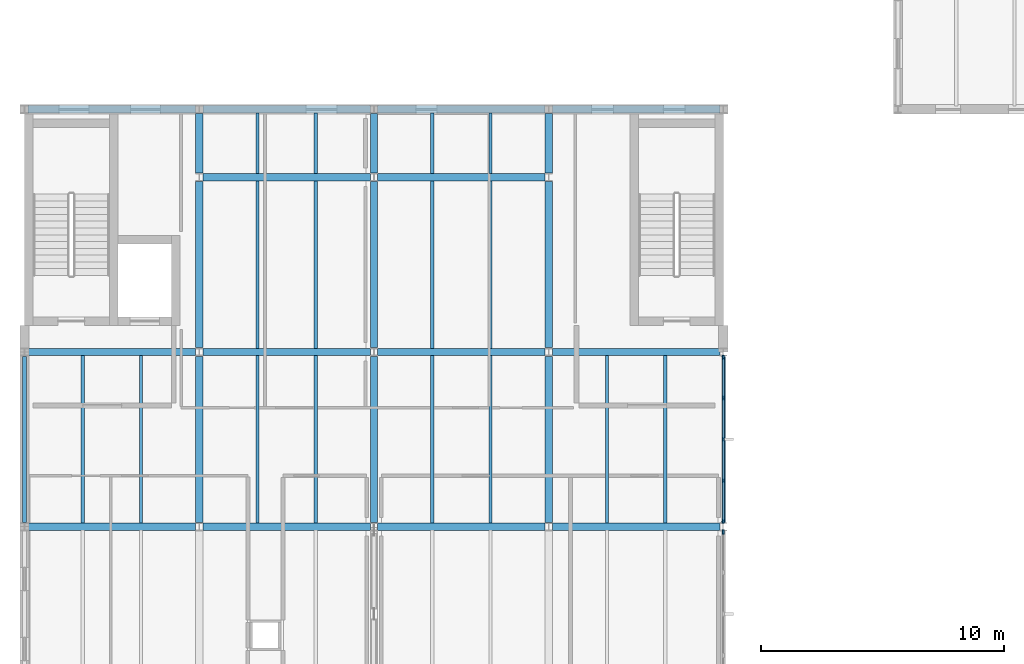
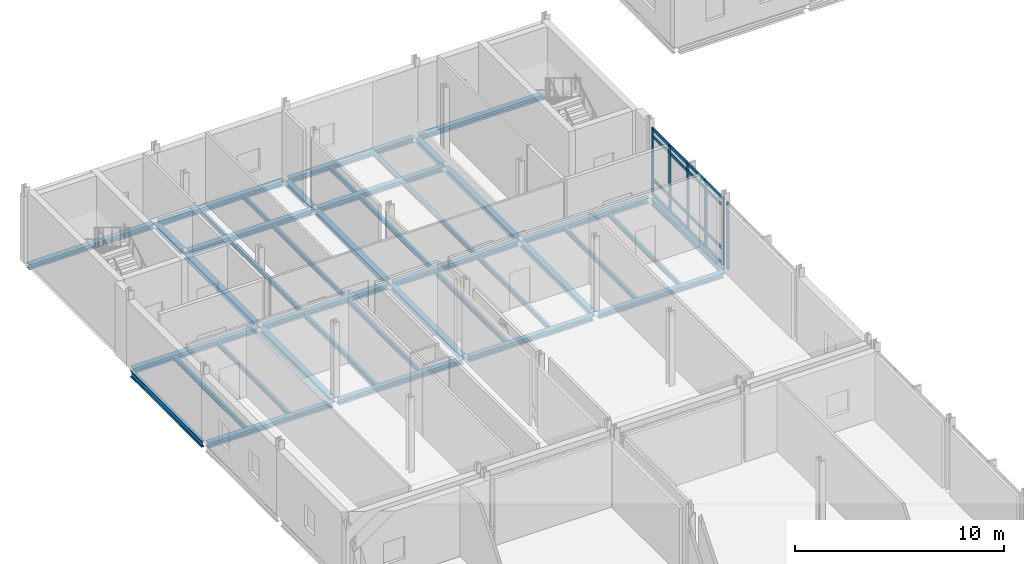
# One storey, part 27 of 72: 41 beams, 22 members, 2 elements without a shape of their own.
"""IFC4 building model written with IfcOpenShell, lengths in metres."""

from ifc_helpers import new_model, si_unit, direction, frame, origin, origin_2d, place, context, subcontext, project, spatial, rectangle, i_section, extrude, material, layer, layer_set, material_profile, profile_set, type_object, element, aggregate, save


model = new_model("IFC4")

# Units and contexts
model_context = context("Model", 3, precision=1e-05, world=origin(), true_north=direction((0.0, 1.0)))
body_context = subcontext(model_context, "Body", "Model", "MODEL_VIEW")
ifc_project = project(units=[si_unit("LENGTHUNIT", "METRE"), si_unit("AREAUNIT", "SQUARE_METRE"), si_unit("VOLUMEUNIT", "CUBIC_METRE"), si_unit("PLANEANGLEUNIT", "RADIAN"), si_unit("MASSUNIT", "GRAM", prefix="KILO")], contexts=[model_context])

# Site, building, storey
site_placement = place(None, origin())
site = spatial("IfcSite", under=ifc_project, at=site_placement, CompositionType="ELEMENT")
building_placement = place(site_placement, origin())
building = spatial("IfcBuilding", under=site, at=building_placement, Name="Zarrinpeak Specialist Clinic", CompositionType="ELEMENT")
storey_placement = place(building_placement, frame((0.0, 0.0, 9.60009765625)))
storey = spatial("IfcBuildingStorey", under=building, at=storey_placement, Name="L02", CompositionType="ELEMENT", Elevation=9.60009765625)

# Beams
ifc_material_1 = material(Name="Steel S355", Category="steel")
ifc_material_profile_1 = material_profile(ifc_material_1, i_section(OverallWidth=0.300048828125, OverallDepth=0.2900390625, WebThickness=0.008544921875, FlangeThickness=0.013916015625, FilletRadius=0.027099609375, at=origin_2d()), Name="HEA 300")
ifc_profile_set_1 = profile_set([ifc_material_profile_1], Name="Steel S355")
beam_type_1 = type_object("IfcBeamType", Name="BM-HEA300", PredefinedType="BEAM", material=ifc_profile_set_1)
for number, where, z_axis, x_axis, name in (
    (1, (0.14794921875, 64.800048828125, -0.360107421875), (1.0, 0.0, 0.0), (0.0, 1.0, 0.0), "L02 Primary Floor Girder BM-L02-X1187"),
    (2, (7.347900390625, 64.800048828125, -0.360107421875), (1.0, 0.0, 0.0), (0.0, 1.0, 0.0), "L02 Primary Floor Girder BM-L02-X1188"),
):
    element("IfcBeam", number, at=place(storey_placement, frame(where, z_axis=z_axis, x_axis=x_axis)), inside=storey, type_object=beam_type_1, Name=name, PredefinedType="BEAM", context=body_context, shape_type="SweptSolid", body=[
        extrude(i_section(OverallWidth=0.300048828125, OverallDepth=0.2900390625, WebThickness=0.008544921875, FlangeThickness=0.013916015625, FilletRadius=0.027099609375, at=origin_2d()), origin(), (0.0, 0.0, 1.0), 6.904052734375),
    ])
beam_1_placement = place(storey_placement, frame((14.548095703125, 64.800048828125, -0.360107421875), z_axis=(1.0, 0.0, 0.0), x_axis=(0.0, 1.0, 0.0)))
element("IfcBeam", 3, at=beam_1_placement, inside=storey, type_object=beam_type_1, Name="L02 Primary Floor Girder BM-L02-X1189", PredefinedType="BEAM", context=body_context, shape_type="SweptSolid", body=[
    extrude(i_section(OverallWidth=0.300048828125, OverallDepth=0.2900390625, WebThickness=0.008544921875, FlangeThickness=0.013916015625, FilletRadius=0.027099609375, at=origin_2d()), origin(), (0.0, 0.0, 1.0), 6.90380859375),
])
for number, where, z_axis, x_axis, name in (
    (4, (21.748046875, 64.800048828125, -0.360107421875), (1.0, 0.0, 0.0), (0.0, 1.0, 0.0), "L02 Primary Floor Girder BM-L02-X1190"),
    (5, (0.14794921875, 72.0, -0.360107421875), (1.0, 0.0, 0.0), (0.0, 1.0, 0.0), "L02 Primary Floor Girder BM-L02-X1191"),
    (6, (7.347900390625, 72.0, -0.360107421875), (1.0, 0.0, 0.0), (0.0, 1.0, 0.0), "L02 Primary Floor Girder BM-L02-X1192"),
):
    element("IfcBeam", number, at=place(storey_placement, frame(where, z_axis=z_axis, x_axis=x_axis)), inside=storey, type_object=beam_type_1, Name=name, PredefinedType="BEAM", context=body_context, shape_type="SweptSolid", body=[
        extrude(i_section(OverallWidth=0.300048828125, OverallDepth=0.2900390625, WebThickness=0.008544921875, FlangeThickness=0.013916015625, FilletRadius=0.027099609375, at=origin_2d()), origin(), (0.0, 0.0, 1.0), 6.904052734375),
    ])
beam_2_placement = place(storey_placement, frame((14.548095703125, 72.0, -0.360107421875), z_axis=(1.0, 0.0, 0.0), x_axis=(0.0, 1.0, 0.0)))
element("IfcBeam", 7, at=beam_2_placement, inside=storey, type_object=beam_type_1, Name="L02 Primary Floor Girder BM-L02-X1193", PredefinedType="BEAM", context=body_context, shape_type="SweptSolid", body=[
    extrude(i_section(OverallWidth=0.300048828125, OverallDepth=0.2900390625, WebThickness=0.008544921875, FlangeThickness=0.013916015625, FilletRadius=0.027099609375, at=origin_2d()), origin(), (0.0, 0.0, 1.0), 6.90380859375),
])
for number, where, z_axis, x_axis, name in (
    (8, (21.748046875, 72.0, -0.360107421875), (1.0, 0.0, 0.0), (0.0, 1.0, 0.0), "L02 Primary Floor Girder BM-L02-X1194"),
    (9, (7.347900390625, 79.199951171875, -0.360107421875), (1.0, 0.0, 0.0), (0.0, 1.0, 0.0), "L02 Primary Floor Girder BM-L02-X1195"),
):
    element("IfcBeam", number, at=place(storey_placement, frame(where, z_axis=z_axis, x_axis=x_axis)), inside=storey, type_object=beam_type_1, Name=name, PredefinedType="BEAM", context=body_context, shape_type="SweptSolid", body=[
        extrude(i_section(OverallWidth=0.300048828125, OverallDepth=0.2900390625, WebThickness=0.008544921875, FlangeThickness=0.013916015625, FilletRadius=0.027099609375, at=origin_2d()), origin(), (0.0, 0.0, 1.0), 6.904052734375),
    ])
beam_3_placement = place(storey_placement, frame((14.548095703125, 79.199951171875, -0.360107421875), z_axis=(1.0, 0.0, 0.0), x_axis=(0.0, 1.0, 0.0)))
element("IfcBeam", 10, at=beam_3_placement, inside=storey, type_object=beam_type_1, Name="L02 Primary Floor Girder BM-L02-X1196", PredefinedType="BEAM", context=body_context, shape_type="SweptSolid", body=[
    extrude(i_section(OverallWidth=0.300048828125, OverallDepth=0.2900390625, WebThickness=0.008544921875, FlangeThickness=0.013916015625, FilletRadius=0.027099609375, at=origin_2d()), origin(), (0.0, 0.0, 1.0), 6.90380859375),
])
for number, where, z_axis, x_axis, name in (
    (11, (0.14794921875, 82.0, -0.360107421875), (1.0, 0.0, 0.0), (0.0, 1.0, 0.0), "L02 Primary Floor Girder BM-L02-X1197"),
    (12, (7.347900390625, 82.0, -0.360107421875), (1.0, 0.0, 0.0), (0.0, 1.0, 0.0), "L02 Primary Floor Girder BM-L02-X1198"),
):
    element("IfcBeam", number, at=place(storey_placement, frame(where, z_axis=z_axis, x_axis=x_axis)), inside=storey, type_object=beam_type_1, Name=name, PredefinedType="BEAM", context=body_context, shape_type="SweptSolid", body=[
        extrude(i_section(OverallWidth=0.300048828125, OverallDepth=0.2900390625, WebThickness=0.008544921875, FlangeThickness=0.013916015625, FilletRadius=0.027099609375, at=origin_2d()), origin(), (0.0, 0.0, 1.0), 6.904052734375),
    ])
beam_4_placement = place(storey_placement, frame((14.548095703125, 82.0, -0.360107421875), z_axis=(1.0, 0.0, 0.0), x_axis=(0.0, 1.0, 0.0)))
element("IfcBeam", 13, at=beam_4_placement, inside=storey, type_object=beam_type_1, Name="L02 Primary Floor Girder BM-L02-X1199", PredefinedType="BEAM", context=body_context, shape_type="SweptSolid", body=[
    extrude(i_section(OverallWidth=0.300048828125, OverallDepth=0.2900390625, WebThickness=0.008544921875, FlangeThickness=0.013916015625, FilletRadius=0.027099609375, at=origin_2d()), origin(), (0.0, 0.0, 1.0), 6.90380859375),
])
beam_5_placement = place(storey_placement, frame((21.748046875, 82.0, -0.360107421875), z_axis=(1.0, 0.0, 0.0), x_axis=(0.0, 1.0, 0.0)))
element("IfcBeam", 14, at=beam_5_placement, inside=storey, type_object=beam_type_1, Name="L02 Primary Floor Girder BM-L02-X1200", PredefinedType="BEAM", context=body_context, shape_type="SweptSolid", body=[
    extrude(i_section(OverallWidth=0.300048828125, OverallDepth=0.2900390625, WebThickness=0.008544921875, FlangeThickness=0.013916015625, FilletRadius=0.027099609375, at=origin_2d()), origin(), (0.0, 0.0, 1.0), 6.904052734375),
])
for number, where, z_axis, x_axis, name in (
    (15, (7.199951171875, 64.97802734375, -0.360107421875), (0.0, 1.0, 0.0), (-1.0, 0.0, 0.0), "L02 Primary Beam BM-L02-Y1239"),
    (16, (7.199951171875, 72.177978515625, -0.360107421875), (0.0, 1.0, 0.0), (-1.0, 0.0, 0.0), "L02 Primary Beam BM-L02-Y1240"),
):
    element("IfcBeam", number, at=place(storey_placement, frame(where, z_axis=z_axis, x_axis=x_axis)), inside=storey, type_object=beam_type_1, Name=name, PredefinedType="BEAM", context=body_context, shape_type="SweptSolid", body=[
        extrude(i_section(OverallWidth=0.300048828125, OverallDepth=0.2900390625, WebThickness=0.008544921875, FlangeThickness=0.013916015625, FilletRadius=0.027099609375, at=origin_2d()), origin(), (0.0, 0.0, 1.0), 6.843994140625),
    ])
beam_6_placement = place(storey_placement, frame((7.199951171875, 79.3779296875, -0.360107421875), z_axis=(0.0, 1.0, 0.0), x_axis=(-1.0, 0.0, 0.0)))
element("IfcBeam", 17, at=beam_6_placement, inside=storey, type_object=beam_type_1, Name="L02 Primary Beam BM-L02-Y1241", PredefinedType="BEAM", context=body_context, shape_type="SweptSolid", body=[
    extrude(i_section(OverallWidth=0.300048828125, OverallDepth=0.2900390625, WebThickness=0.008544921875, FlangeThickness=0.013916015625, FilletRadius=0.027099609375, at=origin_2d()), origin(), (0.0, 0.0, 1.0), 2.444091796875),
])
for number, where, z_axis, x_axis, name in (
    (18, (14.39990234375, 64.97802734375, -0.360107421875), (0.0, 1.0, 0.0), (-1.0, 0.0, 0.0), "L02 Primary Beam BM-L02-Y1251"),
    (19, (14.39990234375, 72.177978515625, -0.360107421875), (0.0, 1.0, 0.0), (-1.0, 0.0, 0.0), "L02 Primary Beam BM-L02-Y1252"),
):
    element("IfcBeam", number, at=place(storey_placement, frame(where, z_axis=z_axis, x_axis=x_axis)), inside=storey, type_object=beam_type_1, Name=name, PredefinedType="BEAM", context=body_context, shape_type="SweptSolid", body=[
        extrude(i_section(OverallWidth=0.300048828125, OverallDepth=0.2900390625, WebThickness=0.008544921875, FlangeThickness=0.013916015625, FilletRadius=0.027099609375, at=origin_2d()), origin(), (0.0, 0.0, 1.0), 6.843994140625),
    ])
beam_7_placement = place(storey_placement, frame((14.39990234375, 79.3779296875, -0.360107421875), z_axis=(0.0, 1.0, 0.0), x_axis=(-1.0, 0.0, 0.0)))
element("IfcBeam", 20, at=beam_7_placement, inside=storey, type_object=beam_type_1, Name="L02 Primary Beam BM-L02-Y1253", PredefinedType="BEAM", context=body_context, shape_type="SweptSolid", body=[
    extrude(i_section(OverallWidth=0.300048828125, OverallDepth=0.2900390625, WebThickness=0.008544921875, FlangeThickness=0.013916015625, FilletRadius=0.027099609375, at=origin_2d()), origin(), (0.0, 0.0, 1.0), 2.444091796875),
])
for number, where, z_axis, x_axis, name in (
    (21, (21.60009765625, 64.97802734375, -0.360107421875), (0.0, 1.0, 0.0), (-1.0, 0.0, 0.0), "L02 Primary Beam BM-L02-Y1263"),
    (22, (21.60009765625, 72.177978515625, -0.360107421875), (0.0, 1.0, 0.0), (-1.0, 0.0, 0.0), "L02 Primary Beam BM-L02-Y1264"),
):
    element("IfcBeam", number, at=place(storey_placement, frame(where, z_axis=z_axis, x_axis=x_axis)), inside=storey, type_object=beam_type_1, Name=name, PredefinedType="BEAM", context=body_context, shape_type="SweptSolid", body=[
        extrude(i_section(OverallWidth=0.300048828125, OverallDepth=0.2900390625, WebThickness=0.008544921875, FlangeThickness=0.013916015625, FilletRadius=0.027099609375, at=origin_2d()), origin(), (0.0, 0.0, 1.0), 6.843994140625),
    ])
beam_8_placement = place(storey_placement, frame((21.60009765625, 79.3779296875, -0.360107421875), z_axis=(0.0, 1.0, 0.0), x_axis=(-1.0, 0.0, 0.0)))
element("IfcBeam", 23, at=beam_8_placement, inside=storey, type_object=beam_type_1, Name="L02 Primary Beam BM-L02-Y1265", PredefinedType="BEAM", context=body_context, shape_type="SweptSolid", body=[
    extrude(i_section(OverallWidth=0.300048828125, OverallDepth=0.2900390625, WebThickness=0.008544921875, FlangeThickness=0.013916015625, FilletRadius=0.027099609375, at=origin_2d()), origin(), (0.0, 0.0, 1.0), 2.444091796875),
])
ifc_material_profile_2 = material_profile(ifc_material_1, i_section(OverallWidth=0.135009765625, OverallDepth=0.27001953125, WebThickness=0.006591796875, FlangeThickness=0.01025390625, FilletRadius=0.014892578125, at=origin_2d()), Name="IPE 270")
ifc_profile_set_2 = profile_set([ifc_material_profile_2], Name="Steel S355")
beam_type_2 = type_object("IfcBeamType", Name="BM-JST270", PredefinedType="JOIST", material=ifc_profile_set_2)
for number, where, z_axis, x_axis, name in (
    (24, (2.39990234375, 64.947998046875, -0.35009765625), (0.0, 1.0, 0.0), (-1.0, 0.0, 0.0), "L02 Composite Floor Joist JST-L02-1427"),
    (25, (4.800048828125, 64.947998046875, -0.35009765625), (0.0, 1.0, 0.0), (-1.0, 0.0, 0.0), "L02 Composite Floor Joist JST-L02-1428"),
    (26, (9.60009765625, 64.947998046875, -0.35009765625), (0.0, 1.0, 0.0), (-1.0, 0.0, 0.0), "L02 Composite Floor Joist JST-L02-1432"),
    (27, (12.0, 64.947998046875, -0.35009765625), (0.0, 1.0, 0.0), (-1.0, 0.0, 0.0), "L02 Composite Floor Joist JST-L02-1433"),
    (28, (9.60009765625, 72.14794921875, -0.35009765625), (0.0, 1.0, 0.0), (-1.0, 0.0, 0.0), "L02 Composite Floor Joist JST-L02-1434"),
    (29, (12.0, 72.14794921875, -0.35009765625), (0.0, 1.0, 0.0), (-1.0, 0.0, 0.0), "L02 Composite Floor Joist JST-L02-1435"),
):
    element("IfcBeam", number, at=place(storey_placement, frame(where, z_axis=z_axis, x_axis=x_axis)), inside=storey, type_object=beam_type_2, Name=name, PredefinedType="JOIST", context=body_context, shape_type="SweptSolid", body=[
        extrude(i_section(OverallWidth=0.135009765625, OverallDepth=0.27001953125, WebThickness=0.006591796875, FlangeThickness=0.01025390625, FilletRadius=0.014892578125, at=origin_2d()), origin(), (0.0, 0.0, 1.0), 6.904052734375),
    ])
for number, where, z_axis, x_axis, name in (
    (30, (9.60009765625, 79.347900390625, -0.35009765625), (0.0, 1.0, 0.0), (-1.0, 0.0, 0.0), "L02 Composite Floor Joist JST-L02-1436"),
    (31, (12.0, 79.347900390625, -0.35009765625), (0.0, 1.0, 0.0), (-1.0, 0.0, 0.0), "L02 Composite Floor Joist JST-L02-1437"),
):
    element("IfcBeam", number, at=place(storey_placement, frame(where, z_axis=z_axis, x_axis=x_axis)), inside=storey, type_object=beam_type_2, Name=name, PredefinedType="JOIST", context=body_context, shape_type="SweptSolid", body=[
        extrude(i_section(OverallWidth=0.135009765625, OverallDepth=0.27001953125, WebThickness=0.006591796875, FlangeThickness=0.01025390625, FilletRadius=0.014892578125, at=origin_2d()), origin(), (0.0, 0.0, 1.0), 2.504150390625),
    ])
for number, where, z_axis, x_axis, name in (
    (32, (16.800048828125, 64.947998046875, -0.35009765625), (0.0, 1.0, 0.0), (-1.0, 0.0, 0.0), "L02 Composite Floor Joist JST-L02-1442"),
    (33, (19.199951171875, 64.947998046875, -0.35009765625), (0.0, 1.0, 0.0), (-1.0, 0.0, 0.0), "L02 Composite Floor Joist JST-L02-1443"),
    (34, (16.800048828125, 72.14794921875, -0.35009765625), (0.0, 1.0, 0.0), (-1.0, 0.0, 0.0), "L02 Composite Floor Joist JST-L02-1444"),
    (35, (19.199951171875, 72.14794921875, -0.35009765625), (0.0, 1.0, 0.0), (-1.0, 0.0, 0.0), "L02 Composite Floor Joist JST-L02-1445"),
):
    element("IfcBeam", number, at=place(storey_placement, frame(where, z_axis=z_axis, x_axis=x_axis)), inside=storey, type_object=beam_type_2, Name=name, PredefinedType="JOIST", context=body_context, shape_type="SweptSolid", body=[
        extrude(i_section(OverallWidth=0.135009765625, OverallDepth=0.27001953125, WebThickness=0.006591796875, FlangeThickness=0.01025390625, FilletRadius=0.014892578125, at=origin_2d()), origin(), (0.0, 0.0, 1.0), 6.904052734375),
    ])
for number, where, z_axis, x_axis, name in (
    (36, (16.800048828125, 79.347900390625, -0.35009765625), (0.0, 1.0, 0.0), (-1.0, 0.0, 0.0), "L02 Composite Floor Joist JST-L02-1446"),
    (37, (19.199951171875, 79.347900390625, -0.35009765625), (0.0, 1.0, 0.0), (-1.0, 0.0, 0.0), "L02 Composite Floor Joist JST-L02-1447"),
):
    element("IfcBeam", number, at=place(storey_placement, frame(where, z_axis=z_axis, x_axis=x_axis)), inside=storey, type_object=beam_type_2, Name=name, PredefinedType="JOIST", context=body_context, shape_type="SweptSolid", body=[
        extrude(i_section(OverallWidth=0.135009765625, OverallDepth=0.27001953125, WebThickness=0.006591796875, FlangeThickness=0.01025390625, FilletRadius=0.014892578125, at=origin_2d()), origin(), (0.0, 0.0, 1.0), 2.504150390625),
    ])
for number, where, z_axis, x_axis, name in (
    (38, (24.0, 64.947998046875, -0.35009765625), (0.0, 1.0, 0.0), (-1.0, 0.0, 0.0), "L02 Composite Floor Joist JST-L02-1452"),
    (39, (26.39990234375, 64.947998046875, -0.35009765625), (0.0, 1.0, 0.0), (-1.0, 0.0, 0.0), "L02 Composite Floor Joist JST-L02-1453"),
):
    element("IfcBeam", number, at=place(storey_placement, frame(where, z_axis=z_axis, x_axis=x_axis)), inside=storey, type_object=beam_type_2, Name=name, PredefinedType="JOIST", context=body_context, shape_type="SweptSolid", body=[
        extrude(i_section(OverallWidth=0.135009765625, OverallDepth=0.27001953125, WebThickness=0.006591796875, FlangeThickness=0.01025390625, FilletRadius=0.014892578125, at=origin_2d()), origin(), (0.0, 0.0, 1.0), 6.904052734375),
    ])
ifc_material_profile_3 = material_profile(ifc_material_1, i_section(OverallWidth=0.169921875, OverallDepth=0.360107421875, WebThickness=0.008056640625, FlangeThickness=0.0126953125, FilletRadius=0.01806640625, at=origin_2d()), Name="IPE 360")
ifc_profile_set_3 = profile_set([ifc_material_profile_3], Name="Steel S355")
beam_type_3 = type_object("IfcBeamType", Name="BM-SP360", PredefinedType="SPANDREL", material=ifc_profile_set_3)
for number, where, z_axis, x_axis, name in (
    (40, (0.0, 64.97802734375, -0.39501953125), (0.0, 1.0, 0.0), (-1.0, 0.0, 0.0), "L02 Perimeter Spandrel Beam BM-L02-Y1229"),
    (41, (28.800048828125, 64.97802734375, -0.39501953125), (0.0, 1.0, 0.0), (-1.0, 0.0, 0.0), "L02 Perimeter Spandrel Beam BM-L02-Y1272"),
):
    element("IfcBeam", number, at=place(storey_placement, frame(where, z_axis=z_axis, x_axis=x_axis)), inside=storey, type_object=beam_type_3, Name=name, PredefinedType="SPANDREL", context=body_context, shape_type="SweptSolid", body=[
        extrude(i_section(OverallWidth=0.169921875, OverallDepth=0.360107421875, WebThickness=0.008056640625, FlangeThickness=0.0126953125, FilletRadius=0.01806640625, at=origin_2d()), origin(), (0.0, 0.0, 1.0), 6.843994140625),
    ])

# Curtain wall, member
ifc_material_2 = material(Name="Anodised Aluminium Alloy 6063-T6", Category="aluminium")
ifc_layer = layer(ifc_material_2, 0.179931640625)
ifc_layer_set = layer_set([ifc_layer], Name="Anodised Aluminium Alloy 6063-T6")
curtain_wall_type = type_object("IfcCurtainWallType", Name="CW-COURT", PredefinedType="NOTDEFINED", material=ifc_layer_set)
curtain_wall_1_placement = place(storey_placement, origin())
curtain_wall_1 = element("IfcCurtainWall", 42, at=curtain_wall_1_placement, inside=storey, type_object=curtain_wall_type, Name="L02 V5 Unitised Curtain Wall CW-L02-V5-125", PredefinedType="NOTDEFINED")
ifc_material_profile_4 = material_profile(ifc_material_2, rectangle(XDim=0.074951171875, YDim=0.179931640625, at=origin_2d()), Name="ALU 75x180")
ifc_profile_set_4 = profile_set([ifc_material_profile_4], Name="Anodised Aluminium Alloy 6063-T6")
member_type_1 = type_object("IfcMemberType", Name="CWM-75", PredefinedType="MULLION", material=ifc_profile_set_4)
member_1_placement = place(storey_placement, frame((28.800048828125, 64.577392578125, 0.0), z_axis=(0.0, 0.0, 1.0), x_axis=(-1.0, 0.0, 0.0)))
member_1 = element("IfcMember", 43, at=member_1_placement, type_object=member_type_1, Name="CW-01 mullion 5", PredefinedType="MULLION", context=body_context, shape_type="SweptSolid", body=[
    extrude(rectangle(XDim=0.074951171875, YDim=0.179931640625, at=origin_2d()), origin(), (0.0, 0.0, 1.0), 3.885009765625),
])
aggregate(curtain_wall_1, [member_1])

# Curtain wall, members
curtain_wall_2_placement = place(storey_placement, origin())
curtain_wall_2 = element("IfcCurtainWall", 44, at=curtain_wall_2_placement, inside=storey, type_object=curtain_wall_type, Name="L02 V5 Unitised Curtain Wall CW-L02-V5-126", PredefinedType="NOTDEFINED")
member_2_placement = place(storey_placement, frame((28.800048828125, 65.0224609375, 0.0), z_axis=(0.0, 0.0, 1.0), x_axis=(-1.0, 0.0, 0.0)))
member_2 = element("IfcMember", 45, at=member_2_placement, type_object=member_type_1, Name="CW-01 mullion 1", PredefinedType="MULLION", context=body_context, shape_type="SweptSolid", body=[
    extrude(rectangle(XDim=0.074951171875, YDim=0.179931640625, at=origin_2d()), origin(), (0.0, 0.0, 1.0), 3.885009765625),
])
member_3_placement = place(storey_placement, frame((28.800048828125, 66.6923828125, 0.0), z_axis=(0.0, 0.0, 1.0), x_axis=(-1.0, 0.0, 0.0)))
member_3 = element("IfcMember", 46, at=member_3_placement, type_object=member_type_1, Name="CW-01 mullion 2", PredefinedType="MULLION", context=body_context, shape_type="SweptSolid", body=[
    extrude(rectangle(XDim=0.074951171875, YDim=0.179931640625, at=origin_2d()), origin(), (0.0, 0.0, 1.0), 3.885009765625),
])
member_4_placement = place(storey_placement, frame((28.800048828125, 68.39990234375, 0.0), z_axis=(0.0, 0.0, 1.0), x_axis=(-1.0, 0.0, 0.0)))
member_4 = element("IfcMember", 47, at=member_4_placement, type_object=member_type_1, Name="CW-01 mullion 3", PredefinedType="MULLION", context=body_context, shape_type="SweptSolid", body=[
    extrude(rectangle(XDim=0.074951171875, YDim=0.179931640625, at=origin_2d()), origin(), (0.0, 0.0, 1.0), 3.885009765625),
])
member_5_placement = place(storey_placement, frame((28.800048828125, 70.107421875, 0.0), z_axis=(0.0, 0.0, 1.0), x_axis=(-1.0, 0.0, 0.0)))
member_5 = element("IfcMember", 48, at=member_5_placement, type_object=member_type_1, Name="CW-01 mullion 4", PredefinedType="MULLION", context=body_context, shape_type="SweptSolid", body=[
    extrude(rectangle(XDim=0.074951171875, YDim=0.179931640625, at=origin_2d()), origin(), (0.0, 0.0, 1.0), 3.885009765625),
])
member_6_placement = place(storey_placement, frame((28.800048828125, 71.777587890625, 0.0), z_axis=(0.0, 0.0, 1.0), x_axis=(-1.0, 0.0, 0.0)))
member_6 = element("IfcMember", 49, at=member_6_placement, type_object=member_type_1, Name="CW-01 mullion 5", PredefinedType="MULLION", context=body_context, shape_type="SweptSolid", body=[
    extrude(rectangle(XDim=0.074951171875, YDim=0.179931640625, at=origin_2d()), origin(), (0.0, 0.0, 1.0), 3.885009765625),
])
ifc_material_profile_5 = material_profile(ifc_material_2, rectangle(XDim=0.074951171875, YDim=0.159912109375, at=origin_2d()), Name="ALU 75x160")
ifc_profile_set_5 = profile_set([ifc_material_profile_5], Name="Anodised Aluminium Alloy 6063-T6")
member_type_2 = type_object("IfcMemberType", Name="CWT-75", PredefinedType="USERDEFINED", material=ifc_profile_set_5)
member_7_placement = place(storey_placement, frame((28.800048828125, 65.06005859375, 0.037353515625), z_axis=(0.0, 1.0, 0.0), x_axis=(-1.0, 0.0, 0.0)))
member_7 = element("IfcMember", 50, at=member_7_placement, type_object=member_type_2, Name="CW-01 transom 1.1", ObjectType="TRANSOM", PredefinedType="USERDEFINED", context=body_context, shape_type="SweptSolid", body=[
    extrude(rectangle(XDim=0.074951171875, YDim=0.159912109375, at=origin_2d()), origin(), (0.0, 0.0, 1.0), 1.594970703125),
])
member_8_placement = place(storey_placement, frame((28.800048828125, 65.06005859375, 0.89990234375), z_axis=(0.0, 1.0, 0.0), x_axis=(-1.0, 0.0, 0.0)))
member_8 = element("IfcMember", 51, at=member_8_placement, type_object=member_type_2, Name="CW-01 transom 1.2", ObjectType="TRANSOM", PredefinedType="USERDEFINED", context=body_context, shape_type="SweptSolid", body=[
    extrude(rectangle(XDim=0.074951171875, YDim=0.159912109375, at=origin_2d()), origin(), (0.0, 0.0, 1.0), 1.594970703125),
])
member_9_placement = place(storey_placement, frame((28.800048828125, 65.06005859375, 3.434814453125), z_axis=(0.0, 1.0, 0.0), x_axis=(-1.0, 0.0, 0.0)))
member_9 = element("IfcMember", 52, at=member_9_placement, type_object=member_type_2, Name="CW-01 transom 1.3", ObjectType="TRANSOM", PredefinedType="USERDEFINED", context=body_context, shape_type="SweptSolid", body=[
    extrude(rectangle(XDim=0.074951171875, YDim=0.159912109375, at=origin_2d()), origin(), (0.0, 0.0, 1.0), 1.594970703125),
])
member_10_placement = place(storey_placement, frame((28.800048828125, 65.06005859375, 3.847412109375), z_axis=(0.0, 1.0, 0.0), x_axis=(-1.0, 0.0, 0.0)))
member_10 = element("IfcMember", 53, at=member_10_placement, type_object=member_type_2, Name="CW-01 transom 1.4", ObjectType="TRANSOM", PredefinedType="USERDEFINED", context=body_context, shape_type="SweptSolid", body=[
    extrude(rectangle(XDim=0.074951171875, YDim=0.159912109375, at=origin_2d()), origin(), (0.0, 0.0, 1.0), 1.594970703125),
])
member_11_placement = place(storey_placement, frame((28.800048828125, 66.72998046875, 0.037353515625), z_axis=(0.0, 1.0, 0.0), x_axis=(-1.0, 0.0, 0.0)))
member_11 = element("IfcMember", 54, at=member_11_placement, type_object=member_type_2, Name="CW-01 transom 2.1", ObjectType="TRANSOM", PredefinedType="USERDEFINED", context=body_context, shape_type="SweptSolid", body=[
    extrude(rectangle(XDim=0.074951171875, YDim=0.159912109375, at=origin_2d()), origin(), (0.0, 0.0, 1.0), 1.632568359375),
])
member_12_placement = place(storey_placement, frame((28.800048828125, 66.72998046875, 0.89990234375), z_axis=(0.0, 1.0, 0.0), x_axis=(-1.0, 0.0, 0.0)))
member_12 = element("IfcMember", 55, at=member_12_placement, type_object=member_type_2, Name="CW-01 transom 2.2", ObjectType="TRANSOM", PredefinedType="USERDEFINED", context=body_context, shape_type="SweptSolid", body=[
    extrude(rectangle(XDim=0.074951171875, YDim=0.159912109375, at=origin_2d()), origin(), (0.0, 0.0, 1.0), 1.632568359375),
])
member_13_placement = place(storey_placement, frame((28.800048828125, 66.72998046875, 3.434814453125), z_axis=(0.0, 1.0, 0.0), x_axis=(-1.0, 0.0, 0.0)))
member_13 = element("IfcMember", 56, at=member_13_placement, type_object=member_type_2, Name="CW-01 transom 2.3", ObjectType="TRANSOM", PredefinedType="USERDEFINED", context=body_context, shape_type="SweptSolid", body=[
    extrude(rectangle(XDim=0.074951171875, YDim=0.159912109375, at=origin_2d()), origin(), (0.0, 0.0, 1.0), 1.632568359375),
])
member_14_placement = place(storey_placement, frame((28.800048828125, 66.72998046875, 3.847412109375), z_axis=(0.0, 1.0, 0.0), x_axis=(-1.0, 0.0, 0.0)))
member_14 = element("IfcMember", 57, at=member_14_placement, type_object=member_type_2, Name="CW-01 transom 2.4", ObjectType="TRANSOM", PredefinedType="USERDEFINED", context=body_context, shape_type="SweptSolid", body=[
    extrude(rectangle(XDim=0.074951171875, YDim=0.159912109375, at=origin_2d()), origin(), (0.0, 0.0, 1.0), 1.632568359375),
])
member_15_placement = place(storey_placement, frame((28.800048828125, 68.4375, 0.037353515625), z_axis=(0.0, 1.0, 0.0), x_axis=(-1.0, 0.0, 0.0)))
member_15 = element("IfcMember", 58, at=member_15_placement, type_object=member_type_2, Name="CW-01 transom 3.1", ObjectType="TRANSOM", PredefinedType="USERDEFINED", context=body_context, shape_type="SweptSolid", body=[
    extrude(rectangle(XDim=0.074951171875, YDim=0.159912109375, at=origin_2d()), origin(), (0.0, 0.0, 1.0), 1.632568359375),
])
member_16_placement = place(storey_placement, frame((28.800048828125, 68.4375, 0.89990234375), z_axis=(0.0, 1.0, 0.0), x_axis=(-1.0, 0.0, 0.0)))
member_16 = element("IfcMember", 59, at=member_16_placement, type_object=member_type_2, Name="CW-01 transom 3.2", ObjectType="TRANSOM", PredefinedType="USERDEFINED", context=body_context, shape_type="SweptSolid", body=[
    extrude(rectangle(XDim=0.074951171875, YDim=0.159912109375, at=origin_2d()), origin(), (0.0, 0.0, 1.0), 1.632568359375),
])
member_17_placement = place(storey_placement, frame((28.800048828125, 68.4375, 3.434814453125), z_axis=(0.0, 1.0, 0.0), x_axis=(-1.0, 0.0, 0.0)))
member_17 = element("IfcMember", 60, at=member_17_placement, type_object=member_type_2, Name="CW-01 transom 3.3", ObjectType="TRANSOM", PredefinedType="USERDEFINED", context=body_context, shape_type="SweptSolid", body=[
    extrude(rectangle(XDim=0.074951171875, YDim=0.159912109375, at=origin_2d()), origin(), (0.0, 0.0, 1.0), 1.632568359375),
])
member_18_placement = place(storey_placement, frame((28.800048828125, 68.4375, 3.847412109375), z_axis=(0.0, 1.0, 0.0), x_axis=(-1.0, 0.0, 0.0)))
member_18 = element("IfcMember", 61, at=member_18_placement, type_object=member_type_2, Name="CW-01 transom 3.4", ObjectType="TRANSOM", PredefinedType="USERDEFINED", context=body_context, shape_type="SweptSolid", body=[
    extrude(rectangle(XDim=0.074951171875, YDim=0.159912109375, at=origin_2d()), origin(), (0.0, 0.0, 1.0), 1.632568359375),
])
member_19_placement = place(storey_placement, frame((28.800048828125, 70.14501953125, 0.037353515625), z_axis=(0.0, 1.0, 0.0), x_axis=(-1.0, 0.0, 0.0)))
member_19 = element("IfcMember", 62, at=member_19_placement, type_object=member_type_2, Name="CW-01 transom 4.1", ObjectType="TRANSOM", PredefinedType="USERDEFINED", context=body_context, shape_type="SweptSolid", body=[
    extrude(rectangle(XDim=0.074951171875, YDim=0.159912109375, at=origin_2d()), origin(), (0.0, 0.0, 1.0), 1.594970703125),
])
member_20_placement = place(storey_placement, frame((28.800048828125, 70.14501953125, 0.89990234375), z_axis=(0.0, 1.0, 0.0), x_axis=(-1.0, 0.0, 0.0)))
member_20 = element("IfcMember", 63, at=member_20_placement, type_object=member_type_2, Name="CW-01 transom 4.2", ObjectType="TRANSOM", PredefinedType="USERDEFINED", context=body_context, shape_type="SweptSolid", body=[
    extrude(rectangle(XDim=0.074951171875, YDim=0.159912109375, at=origin_2d()), origin(), (0.0, 0.0, 1.0), 1.594970703125),
])
member_21_placement = place(storey_placement, frame((28.800048828125, 70.14501953125, 3.434814453125), z_axis=(0.0, 1.0, 0.0), x_axis=(-1.0, 0.0, 0.0)))
member_21 = element("IfcMember", 64, at=member_21_placement, type_object=member_type_2, Name="CW-01 transom 4.3", ObjectType="TRANSOM", PredefinedType="USERDEFINED", context=body_context, shape_type="SweptSolid", body=[
    extrude(rectangle(XDim=0.074951171875, YDim=0.159912109375, at=origin_2d()), origin(), (0.0, 0.0, 1.0), 1.594970703125),
])
member_22_placement = place(storey_placement, frame((28.800048828125, 70.14501953125, 3.847412109375), z_axis=(0.0, 1.0, 0.0), x_axis=(-1.0, 0.0, 0.0)))
member_22 = element("IfcMember", 65, at=member_22_placement, type_object=member_type_2, Name="CW-01 transom 4.4", ObjectType="TRANSOM", PredefinedType="USERDEFINED", context=body_context, shape_type="SweptSolid", body=[
    extrude(rectangle(XDim=0.074951171875, YDim=0.159912109375, at=origin_2d()), origin(), (0.0, 0.0, 1.0), 1.594970703125),
])
aggregate(curtain_wall_2, [member_2, member_3, member_4, member_5, member_6, member_7, member_8, member_9, member_10, member_11, member_12, member_13, member_14, member_15, member_16, member_17, member_18, member_19, member_20, member_21, member_22])

save(model, "model.ifc")
